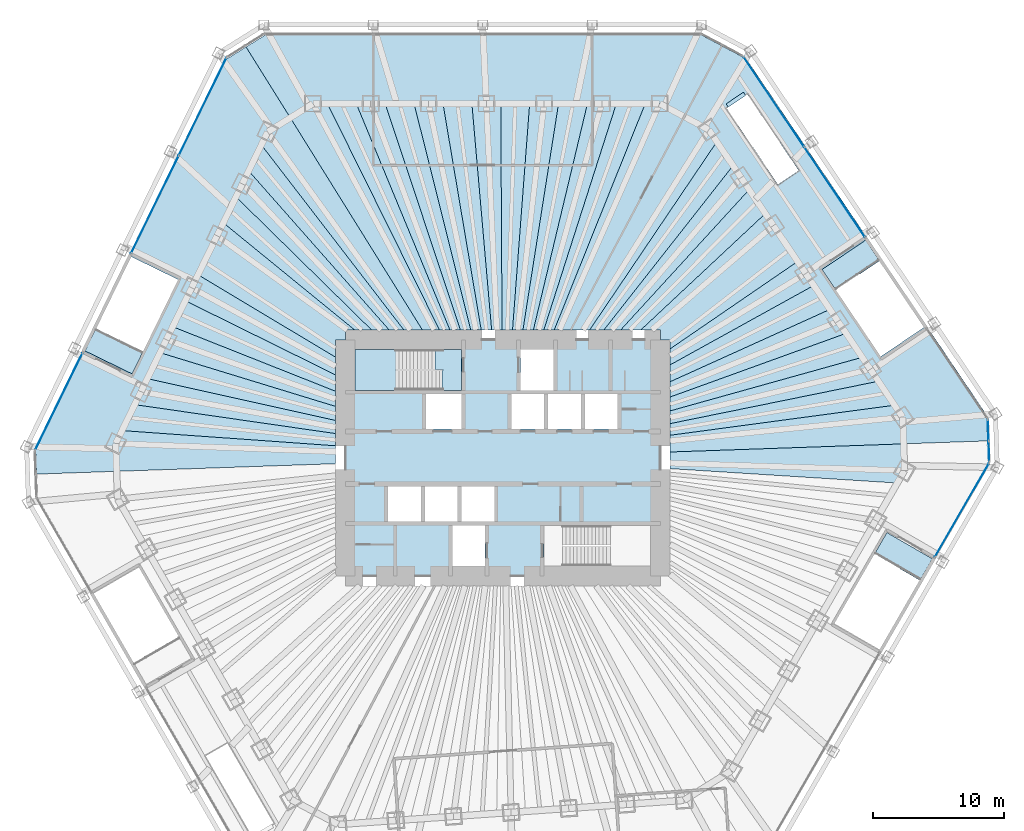
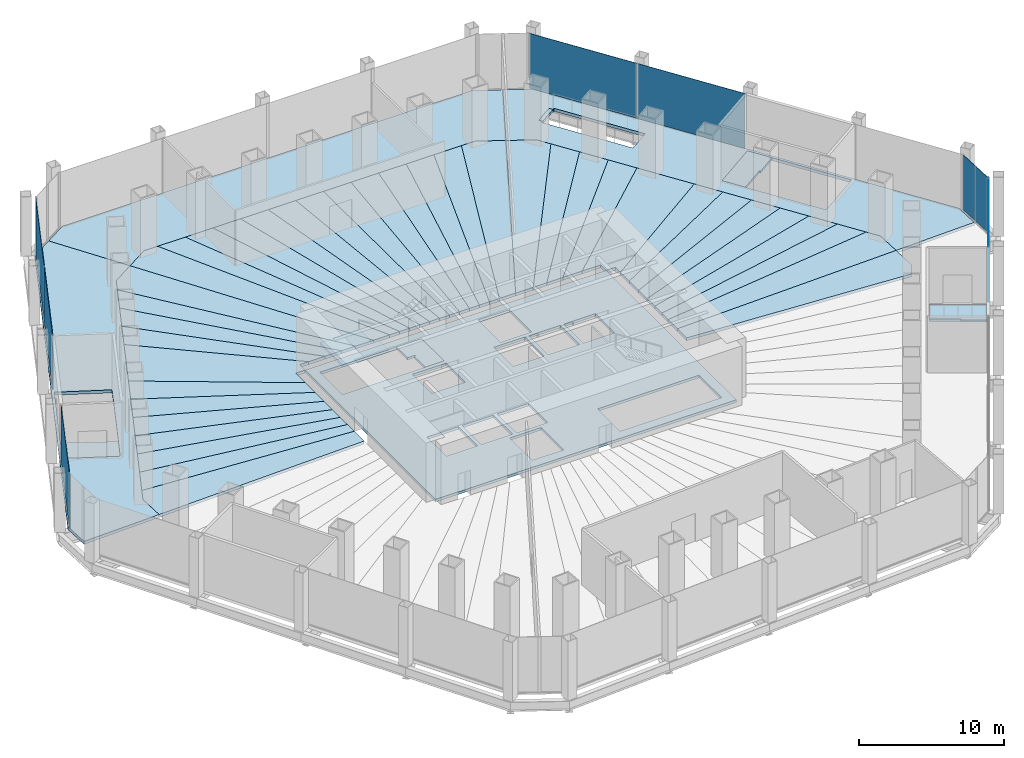
# One storey, part 13 of 18: 48 slabs, 8 plates, 6 elements without a shape of their own.
"""IFC4 building model written with IfcOpenShell, lengths in metres."""

from ifc_helpers import new_model, si_unit, direction, frame, origin, origin_2d, place, context, subcontext, project, spatial, polyline, rectangle, outline, extrude, material, layer, layer_set, type_object, element, aggregate, save


model = new_model("IFC4")

# Units and contexts
model_context = context("Model", 3, precision=1e-05, world=origin(), true_north=direction((0.0, 1.0)))
body_context = subcontext(model_context, "Body", "Model", "MODEL_VIEW")
ifc_project = project(units=[si_unit("LENGTHUNIT", "METRE"), si_unit("AREAUNIT", "SQUARE_METRE"), si_unit("VOLUMEUNIT", "CUBIC_METRE"), si_unit("PLANEANGLEUNIT", "RADIAN"), si_unit("MASSUNIT", "GRAM", prefix="KILO")], contexts=[model_context])

# Site, building, storey
site_placement = place(None, origin())
site = spatial("IfcSite", under=ifc_project, at=site_placement, CompositionType="ELEMENT")
building_placement = place(site_placement, origin())
building = spatial("IfcBuilding", under=site, at=building_placement, Name="Qingtian Harvest Tower", CompositionType="ELEMENT")
storey_placement = place(building_placement, frame((0.0, 0.0, 12.0)))
storey = spatial("IfcBuildingStorey", under=building, at=storey_placement, Name="L02", CompositionType="ELEMENT", Elevation=12.0)

# Slabs
ifc_material_1 = material(Name="Concrete fc' 35 MPa", Category="concrete")
ifc_layer_1 = layer(ifc_material_1, 0.25)
ifc_layer_set_1 = layer_set([ifc_layer_1], Name="Composite floor slab FS25 250")
slab_type_1 = type_object("IfcSlabType", Name="Composite floor slab FS25 250", PredefinedType="FLOOR", material=ifc_layer_set_1)
slab_1_placement = place(storey_placement, frame((0.0, 0.0, -0.25)))
element("IfcSlab", 1, at=slab_1_placement, inside=storey, type_object=slab_type_1, Name="Floor slab L02 panel DPN", PredefinedType="FLOOR", context=body_context, shape_type="SweptSolid", body=[
    extrude(outline(polyline([(14.827392578125, 32.39990234375), (16.698486328125, 31.4052734375), (13.8271484375, 26.005126953125), (11.9560546875, 27.0), (-14.471435546875, 27.0), (-16.197509765625, 25.92138671875), (-19.57177734375, 31.321533203125), (-17.845703125, 32.39990234375), (14.827392578125, 32.39990234375)])), origin(), (0.0, 0.0, 1.0), 0.25),
])
slab_2_placement = place(storey_placement, frame((0.0, 0.0, -0.25)))
element("IfcSlab", 2, at=slab_2_placement, inside=storey, type_object=slab_type_1, Name="Floor slab L02 panel DPNE", PredefinedType="FLOOR", context=body_context, shape_type="SweptSolid", body=[
    extrude(outline(polyline([(30.54736328125, 1.066650390625), (30.476318359375, 3.100830078125), (15.6982421875, 25.01025390625), (13.8271484375, 26.005126953125), (16.698486328125, 31.4052734375), (18.5693359375, 30.410400390625), (36.840087890625, 3.322998046875), (36.9111328125, 1.2890625), (30.54736328125, 1.066650390625)]), holes=[polyline([(32.124267578125, 9.95703125), (27.649658203125, 16.5908203125), (24.33349609375, 14.35400390625), (28.80810546875, 7.72021484375), (32.124267578125, 9.95703125)]), polyline([(17.184814453125, 26.729248046875), (17.059814453125, 26.64599609375), (20.979736328125, 20.83447265625), (22.554931640625, 21.89697265625), (18.635009765625, 27.70849609375), (18.51123046875, 27.623779296875), (18.343017578125, 27.873291015625), (17.016357421875, 26.978759765625), (17.184814453125, 26.729248046875)])]), origin(), (0.0, 0.0, 1.0), 0.25),
])
slab_3_placement = place(storey_placement, frame((0.0, 0.0, -0.25)))
element("IfcSlab", 3, at=slab_3_placement, inside=storey, type_object=slab_type_1, Name="Floor slab L02 panel DPNW", PredefinedType="FLOOR", context=body_context, shape_type="SweptSolid", body=[
    extrude(outline(polyline([(-19.57177734375, 31.321533203125), (-16.197509765625, 25.92138671875), (-17.923583984375, 24.8427734375), (-29.5087890625, 1.08984375), (-29.434814453125, -1.02783203125), (-35.546875, -1.2412109375), (-35.620849609375, 0.87646484375), (-21.2978515625, 30.242919921875), (-19.57177734375, 31.321533203125)]), holes=[polyline([(-31.849609375, 8.15234375), (-28.25439453125, 6.39892578125), (-24.74658203125, 13.5908203125), (-28.341796875, 15.34423828125), (-31.849609375, 8.15234375)])]), origin(), (0.0, 0.0, 1.0), 0.25),
])
slab_4_placement = place(storey_placement, frame((0.0, 0.0, -0.25)))
element("IfcSlab", 4, at=slab_4_placement, inside=storey, type_object=slab_type_1, Name="Floor slab L02 panel D39", PredefinedType="FLOOR", context=body_context, shape_type="SweptSolid", body=[
    extrude(outline(polyline([(12.75, -0.822265625), (12.75, 0.447265625), (30.54736328125, 1.066650390625), (30.618408203125, -0.96728515625), (30.06787109375, -1.9208984375), (12.75, -0.822265625)])), origin(), (0.0, 0.0, 1.0), 0.25),
])
slab_5_placement = place(storey_placement, frame((0.0, 0.0, -0.25)))
element("IfcSlab", 5, at=slab_5_placement, inside=storey, type_object=slab_type_1, Name="Floor slab L02 panel D40", PredefinedType="FLOOR", context=body_context, shape_type="SweptSolid", body=[
    extrude(outline(polyline([(12.75, 0.447265625), (12.75, 1.72265625), (29.860595703125, 4.013671875), (30.476318359375, 3.100830078125), (30.54736328125, 1.066650390625), (12.75, 0.447265625)])), origin(), (0.0, 0.0, 1.0), 0.25),
])
slab_6_placement = place(storey_placement, frame((0.0, 0.0, -0.25)))
element("IfcSlab", 6, at=slab_6_placement, inside=storey, type_object=slab_type_1, Name="Floor slab L02 panel D41", PredefinedType="FLOOR", context=body_context, shape_type="SweptSolid", body=[
    extrude(outline(polyline([(12.75, 2.610595703125), (28.629150390625, 5.839599609375), (29.860595703125, 4.013671875), (12.75, 1.72265625), (12.75, 2.610595703125)])), origin(), (0.0, 0.0, 1.0), 0.25),
])
slab_7_placement = place(storey_placement, frame((0.0, 0.0, -0.25)))
element("IfcSlab", 7, at=slab_7_placement, inside=storey, type_object=slab_type_1, Name="Floor slab L02 panel D42", PredefinedType="FLOOR", context=body_context, shape_type="SweptSolid", body=[
    extrude(outline(polyline([(12.75, 3.57861328125), (27.3974609375, 7.665283203125), (28.629150390625, 5.839599609375), (12.75, 2.610595703125), (12.75, 3.57861328125)])), origin(), (0.0, 0.0, 1.0), 0.25),
])
slab_8_placement = place(storey_placement, frame((0.0, 0.0, -0.25)))
element("IfcSlab", 8, at=slab_8_placement, inside=storey, type_object=slab_type_1, Name="Floor slab L02 panel D43", PredefinedType="FLOOR", context=body_context, shape_type="SweptSolid", body=[
    extrude(outline(polyline([(12.75, 4.6376953125), (26.166015625, 9.490966796875), (27.3974609375, 7.665283203125), (12.75, 3.57861328125), (12.75, 4.6376953125)])), origin(), (0.0, 0.0, 1.0), 0.25),
])
slab_9_placement = place(storey_placement, frame((0.0, 0.0, -0.25)))
element("IfcSlab", 9, at=slab_9_placement, inside=storey, type_object=slab_type_1, Name="Floor slab L02 panel D44", PredefinedType="FLOOR", context=body_context, shape_type="SweptSolid", body=[
    extrude(outline(polyline([(12.75, 5.8017578125), (24.9345703125, 11.31689453125), (26.166015625, 9.490966796875), (12.75, 4.6376953125), (12.75, 5.8017578125)])), origin(), (0.0, 0.0, 1.0), 0.25),
])
slab_10_placement = place(storey_placement, frame((0.0, 0.0, -0.25)))
element("IfcSlab", 10, at=slab_10_placement, inside=storey, type_object=slab_type_1, Name="Floor slab L02 panel D45", PredefinedType="FLOOR", context=body_context, shape_type="SweptSolid", body=[
    extrude(outline(polyline([(12.75, 7.087158203125), (23.703125, 13.142578125), (24.9345703125, 11.31689453125), (12.75, 5.8017578125), (12.75, 7.087158203125)])), origin(), (0.0, 0.0, 1.0), 0.25),
])
slab_11_placement = place(storey_placement, frame((0.0, 0.0, -0.25)))
element("IfcSlab", 11, at=slab_11_placement, inside=storey, type_object=slab_type_1, Name="Floor slab L02 panel D46", PredefinedType="FLOOR", context=body_context, shape_type="SweptSolid", body=[
    extrude(outline(polyline([(12.75, 8.30615234375), (22.471435546875, 14.968505859375), (23.703125, 13.142578125), (12.75, 7.087158203125), (12.75, 8.30615234375)])), origin(), (0.0, 0.0, 1.0), 0.25),
])
slab_12_placement = place(storey_placement, frame((0.0, 0.0, -0.25)))
element("IfcSlab", 12, at=slab_12_placement, inside=storey, type_object=slab_type_1, Name="Floor slab L02 panel D48", PredefinedType="FLOOR", context=body_context, shape_type="SweptSolid", body=[
    extrude(outline(polyline([(20.008544921875, 18.6201171875), (22.471435546875, 14.968505859375), (12.75, 8.30615234375), (12.75, 9.0), (12.0, 9.0), (12.0, 9.75), (10.51806640625, 9.75), (20.008544921875, 18.6201171875)])), origin(), (0.0, 0.0, 1.0), 0.25),
])
slab_13_placement = place(storey_placement, frame((0.0, 0.0, -0.25)))
element("IfcSlab", 13, at=slab_13_placement, inside=storey, type_object=slab_type_1, Name="Floor slab L02 panel D49", PredefinedType="FLOOR", context=body_context, shape_type="SweptSolid", body=[
    extrude(outline(polyline([(8.985107421875, 9.75), (18.777099609375, 20.44580078125), (20.008544921875, 18.6201171875), (10.51806640625, 9.75), (8.985107421875, 9.75)])), origin(), (0.0, 0.0, 1.0), 0.25),
])
slab_14_placement = place(storey_placement, frame((0.0, 0.0, -0.25)))
element("IfcSlab", 14, at=slab_14_placement, inside=storey, type_object=slab_type_1, Name="Floor slab L02 panel D50", PredefinedType="FLOOR", context=body_context, shape_type="SweptSolid", body=[
    extrude(outline(polyline([(7.705078125, 9.75), (17.54541015625, 22.271728515625), (18.777099609375, 20.44580078125), (8.985107421875, 9.75), (7.705078125, 9.75)])), origin(), (0.0, 0.0, 1.0), 0.25),
])
slab_15_placement = place(storey_placement, frame((0.0, 0.0, -0.25)))
element("IfcSlab", 15, at=slab_15_placement, inside=storey, type_object=slab_type_1, Name="Floor slab L02 panel D51", PredefinedType="FLOOR", context=body_context, shape_type="SweptSolid", body=[
    extrude(outline(polyline([(6.61962890625, 9.75), (16.31396484375, 24.097412109375), (17.54541015625, 22.271728515625), (7.705078125, 9.75), (6.61962890625, 9.75)])), origin(), (0.0, 0.0, 1.0), 0.25),
])
slab_16_placement = place(storey_placement, frame((0.0, 0.0, -0.25)))
element("IfcSlab", 16, at=slab_16_placement, inside=storey, type_object=slab_type_1, Name="Floor slab L02 panel D52", PredefinedType="FLOOR", context=body_context, shape_type="SweptSolid", body=[
    extrude(outline(polyline([(6.61962890625, 9.75), (5.21875, 9.75), (13.8271484375, 26.005126953125), (15.6982421875, 25.01025390625), (16.31396484375, 24.097412109375), (6.61962890625, 9.75)])), origin(), (0.0, 0.0, 1.0), 0.25),
])
slab_17_placement = place(storey_placement, frame((0.0, 0.0, -0.25)))
element("IfcSlab", 17, at=slab_17_placement, inside=storey, type_object=slab_type_1, Name="Floor slab L02 panel D53", PredefinedType="FLOOR", context=body_context, shape_type="SweptSolid", body=[
    extrude(outline(polyline([(3.919921875, 9.75), (10.85498046875, 27.0), (11.9560546875, 27.0), (13.8271484375, 26.005126953125), (5.21875, 9.75), (3.919921875, 9.75)])), origin(), (0.0, 0.0, 1.0), 0.25),
])
slab_18_placement = place(storey_placement, frame((0.0, 0.0, -0.25)))
element("IfcSlab", 18, at=slab_18_placement, inside=storey, type_object=slab_type_1, Name="Floor slab L02 panel D54", PredefinedType="FLOOR", context=body_context, shape_type="SweptSolid", body=[
    extrude(outline(polyline([(3.12451171875, 9.75), (8.652587890625, 27.0), (10.85498046875, 27.0), (3.919921875, 9.75), (3.12451171875, 9.75)])), origin(), (0.0, 0.0, 1.0), 0.25),
])
slab_19_placement = place(storey_placement, frame((0.0, 0.0, -0.25)))
element("IfcSlab", 19, at=slab_19_placement, inside=storey, type_object=slab_type_1, Name="Floor slab L02 panel D55", PredefinedType="FLOOR", context=body_context, shape_type="SweptSolid", body=[
    extrude(outline(polyline([(2.329345703125, 9.75), (6.450439453125, 27.0), (8.652587890625, 27.0), (3.12451171875, 9.75), (2.329345703125, 9.75)])), origin(), (0.0, 0.0, 1.0), 0.25),
])
slab_20_placement = place(storey_placement, frame((0.0, 0.0, -0.25)))
element("IfcSlab", 20, at=slab_20_placement, inside=storey, type_object=slab_type_1, Name="Floor slab L02 panel D56", PredefinedType="FLOOR", context=body_context, shape_type="SweptSolid", body=[
    extrude(outline(polyline([(1.533935546875, 9.75), (4.248046875, 27.0), (6.450439453125, 27.0), (2.329345703125, 9.75), (1.533935546875, 9.75)])), origin(), (0.0, 0.0, 1.0), 0.25),
])
slab_21_placement = place(storey_placement, frame((0.0, 0.0, -0.25)))
element("IfcSlab", 21, at=slab_21_placement, inside=storey, type_object=slab_type_1, Name="Floor slab L02 panel D57", PredefinedType="FLOOR", context=body_context, shape_type="SweptSolid", body=[
    extrude(outline(polyline([(0.73876953125, 9.75), (2.0458984375, 27.0), (4.248046875, 27.0), (1.533935546875, 9.75), (0.73876953125, 9.75)])), origin(), (0.0, 0.0, 1.0), 0.25),
])
slab_22_placement = place(storey_placement, frame((0.0, 0.0, -0.25)))
element("IfcSlab", 22, at=slab_22_placement, inside=storey, type_object=slab_type_1, Name="Floor slab L02 panel D58", PredefinedType="FLOOR", context=body_context, shape_type="SweptSolid", body=[
    extrude(outline(polyline([(-0.056396484375, 9.75), (-0.156494140625, 27.0), (2.0458984375, 27.0), (0.73876953125, 9.75), (-0.056396484375, 9.75)])), origin(), (0.0, 0.0, 1.0), 0.25),
])
slab_23_placement = place(storey_placement, frame((0.0, 0.0, -0.25)))
element("IfcSlab", 23, at=slab_23_placement, inside=storey, type_object=slab_type_1, Name="Floor slab L02 panel D59", PredefinedType="FLOOR", context=body_context, shape_type="SweptSolid", body=[
    extrude(outline(polyline([(-0.851806640625, 9.75), (-2.35888671875, 27.0), (-0.156494140625, 27.0), (-0.056396484375, 9.75), (-0.851806640625, 9.75)])), origin(), (0.0, 0.0, 1.0), 0.25),
])
slab_24_placement = place(storey_placement, frame((0.0, 0.0, -0.25)))
element("IfcSlab", 24, at=slab_24_placement, inside=storey, type_object=slab_type_1, Name="Floor slab L02 panel D60", PredefinedType="FLOOR", context=body_context, shape_type="SweptSolid", body=[
    extrude(outline(polyline([(-1.64697265625, 9.75), (-4.56103515625, 27.0), (-2.35888671875, 27.0), (-0.851806640625, 9.75), (-1.64697265625, 9.75)])), origin(), (0.0, 0.0, 1.0), 0.25),
])
slab_25_placement = place(storey_placement, frame((0.0, 0.0, -0.25)))
element("IfcSlab", 25, at=slab_25_placement, inside=storey, type_object=slab_type_1, Name="Floor slab L02 panel D61", PredefinedType="FLOOR", context=body_context, shape_type="SweptSolid", body=[
    extrude(outline(polyline([(-2.4423828125, 9.75), (-6.763427734375, 27.0), (-4.56103515625, 27.0), (-1.64697265625, 9.75), (-2.4423828125, 9.75)])), origin(), (0.0, 0.0, 1.0), 0.25),
])
slab_26_placement = place(storey_placement, frame((0.0, 0.0, -0.25)))
element("IfcSlab", 26, at=slab_26_placement, inside=storey, type_object=slab_type_1, Name="Floor slab L02 panel D62", PredefinedType="FLOOR", context=body_context, shape_type="SweptSolid", body=[
    extrude(outline(polyline([(-3.237548828125, 9.75), (-8.9658203125, 27.0), (-6.763427734375, 27.0), (-2.4423828125, 9.75), (-3.237548828125, 9.75)])), origin(), (0.0, 0.0, 1.0), 0.25),
])
slab_27_placement = place(storey_placement, frame((0.0, 0.0, -0.25)))
element("IfcSlab", 27, at=slab_27_placement, inside=storey, type_object=slab_type_1, Name="Floor slab L02 panel D63", PredefinedType="FLOOR", context=body_context, shape_type="SweptSolid", body=[
    extrude(outline(polyline([(-4.032958984375, 9.75), (-11.16796875, 27.0), (-8.9658203125, 27.0), (-3.237548828125, 9.75), (-4.032958984375, 9.75)])), origin(), (0.0, 0.0, 1.0), 0.25),
])
slab_28_placement = place(storey_placement, frame((0.0, 0.0, -0.25)))
element("IfcSlab", 28, at=slab_28_placement, inside=storey, type_object=slab_type_1, Name="Floor slab L02 panel D64", PredefinedType="FLOOR", context=body_context, shape_type="SweptSolid", body=[
    extrude(outline(polyline([(-4.828125, 9.75), (-13.370361328125, 27.0), (-11.16796875, 27.0), (-4.032958984375, 9.75), (-4.828125, 9.75)])), origin(), (0.0, 0.0, 1.0), 0.25),
])
slab_29_placement = place(storey_placement, frame((0.0, 0.0, -0.25)))
element("IfcSlab", 29, at=slab_29_placement, inside=storey, type_object=slab_type_1, Name="Floor slab L02 panel D65", PredefinedType="FLOOR", context=body_context, shape_type="SweptSolid", body=[
    extrude(outline(polyline([(-4.828125, 9.75), (-6.130126953125, 9.75), (-16.197509765625, 25.92138671875), (-14.471435546875, 27.0), (-13.370361328125, 27.0), (-4.828125, 9.75)])), origin(), (0.0, 0.0, 1.0), 0.25),
])
slab_30_placement = place(storey_placement, frame((0.0, 0.0, -0.25)))
element("IfcSlab", 30, at=slab_30_placement, inside=storey, type_object=slab_type_1, Name="Floor slab L02 panel D66", PredefinedType="FLOOR", context=body_context, shape_type="SweptSolid", body=[
    extrude(outline(polyline([(-6.130126953125, 9.75), (-7.544677734375, 9.75), (-18.40625, 23.853271484375), (-17.923583984375, 24.8427734375), (-16.197509765625, 25.92138671875), (-6.130126953125, 9.75)])), origin(), (0.0, 0.0, 1.0), 0.25),
])
slab_31_placement = place(storey_placement, frame((0.0, 0.0, -0.25)))
element("IfcSlab", 31, at=slab_31_placement, inside=storey, type_object=slab_type_1, Name="Floor slab L02 panel D67", PredefinedType="FLOOR", context=body_context, shape_type="SweptSolid", body=[
    extrude(outline(polyline([(-8.662109375, 9.75), (-19.37158203125, 21.873779296875), (-18.40625, 23.853271484375), (-7.544677734375, 9.75), (-8.662109375, 9.75)])), origin(), (0.0, 0.0, 1.0), 0.25),
])
slab_32_placement = place(storey_placement, frame((0.0, 0.0, -0.25)))
element("IfcSlab", 32, at=slab_32_placement, inside=storey, type_object=slab_type_1, Name="Floor slab L02 panel D68", PredefinedType="FLOOR", context=body_context, shape_type="SweptSolid", body=[
    extrude(outline(polyline([(-10.00341796875, 9.75), (-20.337158203125, 19.894287109375), (-19.37158203125, 21.873779296875), (-8.662109375, 9.75), (-10.00341796875, 9.75)])), origin(), (0.0, 0.0, 1.0), 0.25),
])
slab_33_placement = place(storey_placement, frame((0.0, 0.0, -0.25)))
element("IfcSlab", 33, at=slab_33_placement, inside=storey, type_object=slab_type_1, Name="Floor slab L02 panel D69", PredefinedType="FLOOR", context=body_context, shape_type="SweptSolid", body=[
    extrude(outline(polyline([(-11.2939453125, 9.75), (-21.302490234375, 17.9150390625), (-20.337158203125, 19.894287109375), (-10.00341796875, 9.75), (-11.2939453125, 9.75)])), origin(), (0.0, 0.0, 1.0), 0.25),
])
slab_34_placement = place(storey_placement, frame((0.0, 0.0, -0.25)))
element("IfcSlab", 34, at=slab_34_placement, inside=storey, type_object=slab_type_1, Name="Floor slab L02 panel D70", PredefinedType="FLOOR", context=body_context, shape_type="SweptSolid", body=[
    extrude(outline(polyline([(-12.0, 9.0), (-12.75, 9.0), (-12.75, 7.67333984375), (-23.2333984375, 13.9560546875), (-21.302490234375, 17.9150390625), (-11.2939453125, 9.75), (-12.0, 9.75), (-12.0, 9.0)])), origin(), (0.0, 0.0, 1.0), 0.25),
])
slab_35_placement = place(storey_placement, frame((0.0, 0.0, -0.25)))
element("IfcSlab", 35, at=slab_35_placement, inside=storey, type_object=slab_type_1, Name="Floor slab L02 panel D72", PredefinedType="FLOOR", context=body_context, shape_type="SweptSolid", body=[
    extrude(outline(polyline([(-12.75, 6.3232421875), (-24.19873046875, 11.976806640625), (-23.2333984375, 13.9560546875), (-12.75, 7.67333984375), (-12.75, 6.3232421875)])), origin(), (0.0, 0.0, 1.0), 0.25),
])
slab_36_placement = place(storey_placement, frame((0.0, 0.0, -0.25)))
element("IfcSlab", 36, at=slab_36_placement, inside=storey, type_object=slab_type_1, Name="Floor slab L02 panel D73", PredefinedType="FLOOR", context=body_context, shape_type="SweptSolid", body=[
    extrude(outline(polyline([(-12.75, 5.076904296875), (-25.164306640625, 9.997314453125), (-24.19873046875, 11.976806640625), (-12.75, 6.3232421875), (-12.75, 5.076904296875)])), origin(), (0.0, 0.0, 1.0), 0.25),
])
slab_37_placement = place(storey_placement, frame((0.0, 0.0, -0.25)))
element("IfcSlab", 37, at=slab_37_placement, inside=storey, type_object=slab_type_1, Name="Floor slab L02 panel D74", PredefinedType="FLOOR", context=body_context, shape_type="SweptSolid", body=[
    extrude(outline(polyline([(-12.75, 3.922607421875), (-26.129638671875, 8.017822265625), (-25.164306640625, 9.997314453125), (-12.75, 5.076904296875), (-12.75, 3.922607421875)])), origin(), (0.0, 0.0, 1.0), 0.25),
])
slab_38_placement = place(storey_placement, frame((0.0, 0.0, -0.25)))
element("IfcSlab", 38, at=slab_38_placement, inside=storey, type_object=slab_type_1, Name="Floor slab L02 panel D75", PredefinedType="FLOOR", context=body_context, shape_type="SweptSolid", body=[
    extrude(outline(polyline([(-12.75, 2.8505859375), (-27.09521484375, 6.038330078125), (-26.129638671875, 8.017822265625), (-12.75, 3.922607421875), (-12.75, 2.8505859375)])), origin(), (0.0, 0.0, 1.0), 0.25),
])
slab_39_placement = place(storey_placement, frame((0.0, 0.0, -0.25)))
element("IfcSlab", 39, at=slab_39_placement, inside=storey, type_object=slab_type_1, Name="Floor slab L02 panel D76", PredefinedType="FLOOR", context=body_context, shape_type="SweptSolid", body=[
    extrude(outline(polyline([(-12.75, 1.8525390625), (-28.060546875, 4.05908203125), (-27.09521484375, 6.038330078125), (-12.75, 2.8505859375), (-12.75, 1.8525390625)])), origin(), (0.0, 0.0, 1.0), 0.25),
])
slab_40_placement = place(storey_placement, frame((0.0, 0.0, -0.25)))
element("IfcSlab", 40, at=slab_40_placement, inside=storey, type_object=slab_type_1, Name="Floor slab L02 panel D77", PredefinedType="FLOOR", context=body_context, shape_type="SweptSolid", body=[
    extrude(outline(polyline([(-12.75, 0.9208984375), (-29.02587890625, 2.07958984375), (-28.060546875, 4.05908203125), (-12.75, 1.8525390625), (-12.75, 0.9208984375)])), origin(), (0.0, 0.0, 1.0), 0.25),
])
slab_41_placement = place(storey_placement, frame((0.0, 0.0, -0.25)))
element("IfcSlab", 41, at=slab_41_placement, inside=storey, type_object=slab_type_1, Name="Floor slab L02 panel D78", PredefinedType="FLOOR", context=body_context, shape_type="SweptSolid", body=[
    extrude(outline(polyline([(-12.75, 0.9208984375), (-12.75, -0.447509765625), (-29.434814453125, -1.02783203125), (-29.5087890625, 1.08984375), (-29.02587890625, 2.07958984375), (-12.75, 0.9208984375)])), origin(), (0.0, 0.0, 1.0), 0.25),
])
ifc_material_2 = material(Name="Concrete fc' 35 MPa", Category="concrete")
ifc_layer_2 = layer(ifc_material_2, 0.219970703125)
ifc_layer_set_2 = layer_set([ifc_layer_2], Name="Core floor slab CS22 220")
slab_type_2 = type_object("IfcSlabType", Name="Core floor slab CS22 220", PredefinedType="FLOOR", material=ifc_layer_set_2)
slab_42_placement = place(storey_placement, frame((0.0, 0.0, -0.219970703125)))
element("IfcSlab", 42, at=slab_42_placement, inside=storey, type_object=slab_type_2, Name="Core floor slab L02", PredefinedType="FLOOR", context=body_context, shape_type="SweptSolid", body=[
    extrude(outline(polyline([(-12.0, -9.0), (12.0, -9.0), (12.0, 9.0), (-12.0, 9.0), (-12.0, -9.0)]), holes=[polyline([(-11.25, 5.14990234375), (-3.14990234375, 5.14990234375), (-3.14990234375, 8.25), (-11.25, 8.25), (-11.25, 5.14990234375)]), polyline([(3.14990234375, -8.25), (11.25, -8.25), (11.25, -5.14990234375), (3.14990234375, -5.14990234375), (3.14990234375, -8.25)]), polyline([(1.35009765625, 5.14990234375), (3.85009765625, 5.14990234375), (3.85009765625, 8.25), (1.35009765625, 8.25), (1.35009765625, 5.14990234375)]), polyline([(-3.85009765625, -8.25), (-1.35009765625, -8.25), (-1.35009765625, -5.14990234375), (-3.85009765625, -5.14990234375), (-3.85009765625, -8.25)]), polyline([(-5.85009765625, 2.199951171875), (-3.14990234375, 2.199951171875), (-3.14990234375, 4.85009765625), (-5.85009765625, 4.85009765625), (-5.85009765625, 2.199951171875)]), polyline([(0.64990234375, 2.199951171875), (3.14990234375, 2.199951171875), (3.14990234375, 4.85009765625), (0.64990234375, 4.85009765625), (0.64990234375, 2.199951171875)]), polyline([(3.449951171875, 2.199951171875), (5.949951171875, 2.199951171875), (5.949951171875, 4.85009765625), (3.449951171875, 4.85009765625), (3.449951171875, 2.199951171875)]), polyline([(6.25, 2.199951171875), (8.75, 2.199951171875), (8.75, 4.85009765625), (6.25, 4.85009765625), (6.25, 2.199951171875)]), polyline([(-8.75, -4.85009765625), (-6.25, -4.85009765625), (-6.25, -2.199951171875), (-8.75, -2.199951171875), (-8.75, -4.85009765625)]), polyline([(-5.949951171875, -4.85009765625), (-3.449951171875, -4.85009765625), (-3.449951171875, -2.199951171875), (-5.949951171875, -2.199951171875), (-5.949951171875, -4.85009765625)]), polyline([(-3.14990234375, -4.85009765625), (-0.64990234375, -4.85009765625), (-0.64990234375, -2.199951171875), (-3.14990234375, -2.199951171875), (-3.14990234375, -4.85009765625)])]), origin(), (0.0, 0.0, 1.0), 0.219970703125),
])
ifc_material_3 = material(Name="Steel deck with terrazzo", Category="steel")
ifc_layer_3 = layer(ifc_material_3, 0.199951171875)
ifc_layer_set_3 = layer_set([ifc_layer_3], Name="Feature stair landing SL3 200")
slab_type_3 = type_object("IfcSlabType", Name="Feature stair landing SL3 200", PredefinedType="LANDING", material=ifc_layer_set_3)
slab_43_placement = place(storey_placement, frame((0.0, 0.0, -0.199951171875)))
element("IfcSlab", 43, at=slab_43_placement, inside=storey, type_object=slab_type_3, Name="Feature stair FS3 top landing", PredefinedType="LANDING", context=body_context, shape_type="SweptSolid", body=[
    extrude(outline(polyline([(18.51123046875, 27.623779296875), (18.343017578125, 27.873291015625), (17.016357421875, 26.978759765625), (17.184814453125, 26.729248046875), (18.51123046875, 27.623779296875)])), origin(), (0.0, 0.0, 1.0), 0.199951171875),
])

# Curtain wall, plates
ifc_material_4 = material(Name="Bronze-anodised aluminium curtain wall", Category="aluminium")
curtain_wall_type = type_object("IfcCurtainWallType", Name="Curtain wall CW1 podium shopfront", PredefinedType="USERDEFINED", material=ifc_material_4)
curtain_wall_1_placement = place(storey_placement, origin())
curtain_wall_1 = element("IfcCurtainWall", 44, at=curtain_wall_1_placement, inside=storey, type_object=curtain_wall_type, Name="Curtain wall CW1 L02 NE0-1", ObjectType="RECESSED CURTAIN WALL", PredefinedType="USERDEFINED")
ifc_material_5 = material(Name="Bronze-tinted laminated insulating glass", Category="glass")
ifc_layer_4 = layer(ifc_material_5, 0.030029296875)
ifc_layer_set_4 = layer_set([ifc_layer_4], Name="Glazed panel CWP tinted IGU")
plate_type = type_object("IfcPlateType", Name="Glazed panel CWP tinted IGU", PredefinedType="CURTAIN_PANEL", material=ifc_layer_set_4)
plate_1_placement = place(storey_placement, frame((20.649658203125, 27.1474609375, 0.06494140625), z_axis=(0.0, 0.0, 1.0), x_axis=(0.559192903471, -0.829037572555, 0.0)))
plate_1 = element("IfcPlate", 45, at=plate_1_placement, type_object=plate_type, Name="CW1 panel 1.1", PredefinedType="CURTAIN_PANEL", context=body_context, shape_type="SweptSolid", body=[
    extrude(rectangle(XDim=8.244384765625, YDim=0.030029296875, at=origin_2d()), origin(), (0.0, 0.0, 1.0), 4.635009765625),
])
plate_2_placement = place(storey_placement, frame((25.296142578125, 20.2587890625, 0.06494140625), z_axis=(0.0, 0.0, 1.0), x_axis=(0.559192903471, -0.829037572555, 0.0)))
plate_2 = element("IfcPlate", 46, at=plate_2_placement, type_object=plate_type, Name="CW1 panel 2.1", PredefinedType="CURTAIN_PANEL", context=body_context, shape_type="SweptSolid", body=[
    extrude(rectangle(XDim=8.244384765625, YDim=0.030029296875, at=origin_2d()), origin(), (0.0, 0.0, 1.0), 4.635009765625),
])
aggregate(curtain_wall_1, [plate_1, plate_2])

curtain_wall_2_placement = place(storey_placement, origin())
curtain_wall_2 = element("IfcCurtainWall", 47, at=curtain_wall_2_placement, inside=storey, type_object=curtain_wall_type, Name="Curtain wall CW1 L02 NEC", ObjectType="RECESSED CURTAIN WALL", PredefinedType="USERDEFINED")
plate_3_placement = place(storey_placement, frame((36.996337890625, 2.1083984375, 0.06494140625), z_axis=(0.0, 0.0, 1.0), x_axis=(0.034899496703, -0.999390827019, 0.0)))
plate_3 = element("IfcPlate", 48, at=plate_3_placement, type_object=plate_type, Name="CW1 panel 1.1", PredefinedType="CURTAIN_PANEL", context=body_context, shape_type="SweptSolid", body=[
    extrude(rectangle(XDim=1.56689453125, YDim=0.030029296875, at=origin_2d()), origin(), (0.0, 0.0, 1.0), 4.635009765625),
])
plate_4_placement = place(storey_placement, frame((37.053466796875, 0.4775390625, 0.06494140625), z_axis=(0.0, 0.0, 1.0), x_axis=(0.034899496703, -0.999390827019, 0.0)))
plate_4 = element("IfcPlate", 49, at=plate_4_placement, type_object=plate_type, Name="CW1 panel 2.1", PredefinedType="CURTAIN_PANEL", context=body_context, shape_type="SweptSolid", body=[
    extrude(rectangle(XDim=1.56689453125, YDim=0.030029296875, at=origin_2d()), origin(), (0.0, 0.0, 1.0), 4.635009765625),
])
aggregate(curtain_wall_2, [plate_3, plate_4])

# Curtain wall, plate
curtain_wall_3_placement = place(storey_placement, origin())
curtain_wall_3 = element("IfcCurtainWall", 50, at=curtain_wall_3_placement, inside=storey, type_object=curtain_wall_type, Name="Curtain wall CW1 L02 SE0", ObjectType="RECESSED CURTAIN WALL", PredefinedType="USERDEFINED")
plate_5_placement = place(storey_placement, frame((34.99755859375, -3.982421875, 0.06494140625), z_axis=(0.0, 0.0, 1.0), x_axis=(-0.5, -0.866025403784, 0.0)))
plate_5 = element("IfcPlate", 51, at=plate_5_placement, type_object=plate_type, Name="CW1 panel 1.1", PredefinedType="CURTAIN_PANEL", context=body_context, shape_type="SweptSolid", body=[
    extrude(rectangle(XDim=8.211669921875, YDim=0.030029296875, at=origin_2d()), origin(), (0.0, 0.0, 1.0), 4.635009765625),
])
aggregate(curtain_wall_3, [plate_5])

curtain_wall_4_placement = place(storey_placement, origin())
curtain_wall_4 = element("IfcCurtainWall", 52, at=curtain_wall_4_placement, inside=storey, type_object=curtain_wall_type, Name="Curtain wall CW1 L02 NW0", ObjectType="RECESSED CURTAIN WALL", PredefinedType="USERDEFINED")
plate_6_placement = place(storey_placement, frame((-33.84228515625, 4.294677734375, 0.06494140625), z_axis=(0.0, 0.0, 1.0), x_axis=(0.438371146789, 0.898794046299, 0.0)))
plate_6 = element("IfcPlate", 53, at=plate_6_placement, type_object=plate_type, Name="CW1 panel 1.1", PredefinedType="CURTAIN_PANEL", context=body_context, shape_type="SweptSolid", body=[
    extrude(rectangle(XDim=8.211669921875, YDim=0.030029296875, at=origin_2d()), origin(), (0.0, 0.0, 1.0), 4.635009765625),
])
aggregate(curtain_wall_4, [plate_6])

# Curtain wall, plates
curtain_wall_5_placement = place(storey_placement, origin())
curtain_wall_5 = element("IfcCurtainWall", 54, at=curtain_wall_5_placement, inside=storey, type_object=curtain_wall_type, Name="Curtain wall CW1 L02 NW2-3", ObjectType="RECESSED CURTAIN WALL", PredefinedType="USERDEFINED")
plate_7_placement = place(storey_placement, frame((-26.521728515625, 19.304443359375, 0.06494140625), z_axis=(0.0, 0.0, 1.0), x_axis=(0.438371146789, 0.898794046299, 0.0)))
plate_7 = element("IfcPlate", 55, at=plate_7_placement, type_object=plate_type, Name="CW1 panel 1.1", PredefinedType="CURTAIN_PANEL", context=body_context, shape_type="SweptSolid", body=[
    extrude(rectangle(XDim=8.244384765625, YDim=0.030029296875, at=origin_2d()), origin(), (0.0, 0.0, 1.0), 4.635009765625),
])
plate_8_placement = place(storey_placement, frame((-22.879150390625, 26.772705078125, 0.06494140625), z_axis=(0.0, 0.0, 1.0), x_axis=(0.438371146789, 0.898794046299, 0.0)))
plate_8 = element("IfcPlate", 56, at=plate_8_placement, type_object=plate_type, Name="CW1 panel 2.1", PredefinedType="CURTAIN_PANEL", context=body_context, shape_type="SweptSolid", body=[
    extrude(rectangle(XDim=8.244384765625, YDim=0.030029296875, at=origin_2d()), origin(), (0.0, 0.0, 1.0), 4.635009765625),
])
aggregate(curtain_wall_5, [plate_7, plate_8])

# Stair, slabs
ifc_material_6 = material(Name="Concrete fc' 35 MPa", Category="concrete")
stair_type = type_object("IfcStairType", Name="Special stair ST2 5000", PredefinedType="HALF_TURN_STAIR", material=ifc_material_6)
stair_placement = place(storey_placement, origin())
stair = element("IfcStair", 57, at=stair_placement, inside=storey, type_object=stair_type, Name="Special stair S1 L02", PredefinedType="HALF_TURN_STAIR")
ifc_material_7 = material(Name="Concrete fc' 35 MPa", Category="concrete")
ifc_layer_5 = layer(ifc_material_7, 0.199951171875)
ifc_layer_set_5 = layer_set([ifc_layer_5], Name="Stair landing SL2 200")
slab_type_4 = type_object("IfcSlabType", Name="Stair landing SL2 200", PredefinedType="LANDING", material=ifc_layer_set_5)
slab_44_placement = place(storey_placement, frame((0.0, 0.0, -0.199951171875)))
slab_44 = element("IfcSlab", 58, at=slab_44_placement, type_object=slab_type_4, Name="S1 landing 1", PredefinedType="LANDING", context=body_context, shape_type="SweptSolid", body=[
    extrude(outline(polyline([(-4.64990234375, 5.14990234375), (-4.64990234375, 6.64990234375), (-4.550048828125, 6.64990234375), (-4.550048828125, 6.75), (-5.155029296875, 6.75), (-5.155029296875, 8.25), (-3.14990234375, 8.25), (-3.14990234375, 5.14990234375), (-4.64990234375, 5.14990234375)])), origin(), (0.0, 0.0, 1.0), 0.199951171875),
])
slab_45_placement = place(storey_placement, frame((0.0, 0.0, 2.300048828125)))
slab_45 = element("IfcSlab", 59, at=slab_45_placement, type_object=slab_type_4, Name="S1 landing 2", PredefinedType="LANDING", context=body_context, shape_type="SweptSolid", body=[
    extrude(outline(polyline([(-7.5849609375, 5.14990234375), (-11.25, 5.14990234375), (-11.25, 8.25), (-8.090087890625, 8.25), (-8.090087890625, 6.75), (-8.18994140625, 6.75), (-8.18994140625, 6.64990234375), (-7.5849609375, 6.64990234375), (-7.5849609375, 5.14990234375)])), origin(), (0.0, 0.0, 1.0), 0.199951171875),
])
aggregate(stair, [slab_44, slab_45])

# Slabs
ifc_material_8 = material(Name="Concrete fc' 35 MPa", Category="concrete")
ifc_layer_6 = layer(ifc_material_8, 0.179931640625)
ifc_layer_set_6 = layer_set([ifc_layer_6], Name="Stair top landing SL1 180")
slab_type_5 = type_object("IfcSlabType", Name="Stair top landing SL1 180", PredefinedType="LANDING", material=ifc_layer_set_6)
slab_46_placement = place(storey_placement, frame((0.0, 0.0, -0.179931640625)))
element("IfcSlab", 60, at=slab_46_placement, inside=storey, type_object=slab_type_5, Name="Stair P1 top landing", PredefinedType="LANDING", context=body_context, shape_type="SweptSolid", body=[
    extrude(outline(polyline([(27.649658203125, 16.5908203125), (28.712158203125, 15.015625), (27.2197265625, 14.009033203125), (27.163818359375, 14.091796875), (25.340087890625, 12.861572265625), (24.33349609375, 14.35400390625), (27.649658203125, 16.5908203125)])), origin(), (0.0, 0.0, 1.0), 0.179931640625),
])
slab_47_placement = place(storey_placement, frame((0.0, 0.0, -0.179931640625)))
element("IfcSlab", 61, at=slab_47_placement, inside=storey, type_object=slab_type_5, Name="Stair P2 top landing", PredefinedType="LANDING", context=body_context, shape_type="SweptSolid", body=[
    extrude(outline(polyline([(32.740478515625, -7.69189453125), (31.79052734375, -9.33740234375), (30.231689453125, -8.437255859375), (30.28173828125, -8.3505859375), (28.37646484375, -7.250732421875), (29.2763671875, -5.69189453125), (32.740478515625, -7.69189453125)])), origin(), (0.0, 0.0, 1.0), 0.179931640625),
])
slab_48_placement = place(storey_placement, frame((0.0, 0.0, -0.179931640625)))
element("IfcSlab", 62, at=slab_48_placement, inside=storey, type_object=slab_type_5, Name="Stair P4 top landing", PredefinedType="LANDING", context=body_context, shape_type="SweptSolid", body=[
    extrude(outline(polyline([(-31.849609375, 8.15234375), (-31.0166015625, 9.860107421875), (-29.39892578125, 9.071044921875), (-29.442626953125, 8.981201171875), (-27.46533203125, 8.016845703125), (-28.25439453125, 6.39892578125), (-31.849609375, 8.15234375)])), origin(), (0.0, 0.0, 1.0), 0.179931640625),
])

save(model, "model.ifc")
